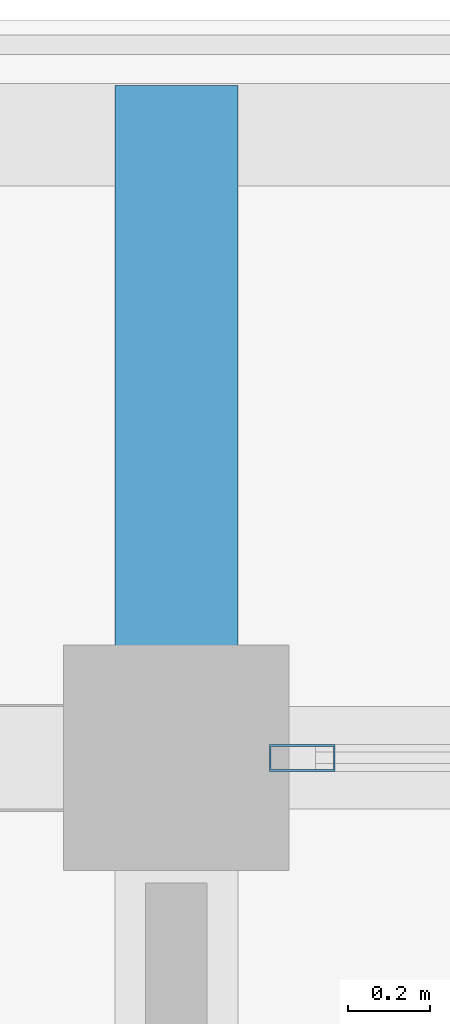
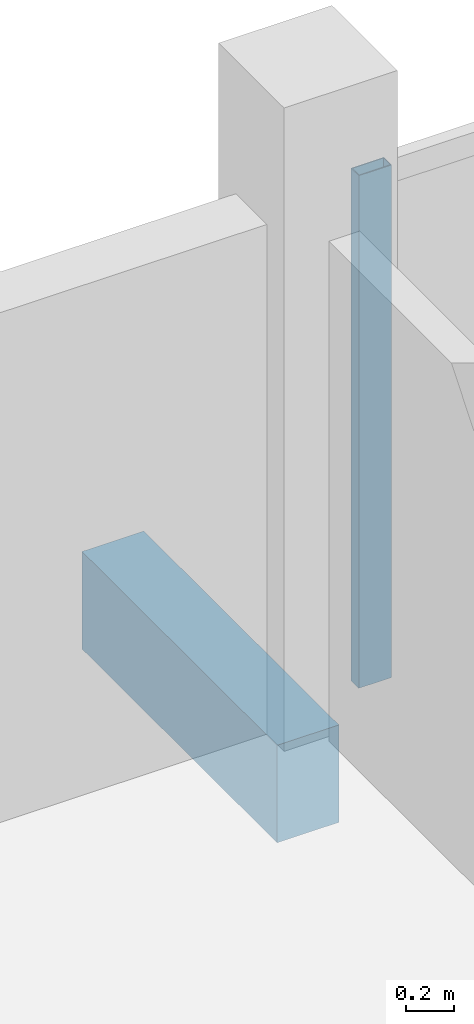
# One storey, part 25 of 60: 1 beam, 1 member, 1 element without a shape of its own.
"""IFC4 building model written with IfcOpenShell, lengths in metres."""

from ifc_helpers import new_model, si_unit, direction, frame, origin, origin_2d, place, context, subcontext, project, spatial, rectangle, hollow_rectangle, extrude, material, material_profile, profile_set, type_object, element, aggregate, save


model = new_model("IFC4")

# Units and contexts
model_context = context("Model", 3, precision=1e-05, world=origin(), true_north=direction((0.0, 1.0)))
body_context = subcontext(model_context, "Body", "Model", "MODEL_VIEW")
ifc_project = project(units=[si_unit("LENGTHUNIT", "METRE"), si_unit("AREAUNIT", "SQUARE_METRE"), si_unit("VOLUMEUNIT", "CUBIC_METRE"), si_unit("PLANEANGLEUNIT", "RADIAN"), si_unit("MASSUNIT", "GRAM", prefix="KILO")], contexts=[model_context])

# Site, building, storey
site_placement = place(None, origin())
site = spatial("IfcSite", under=ifc_project, at=site_placement, CompositionType="ELEMENT")
building_placement = place(site_placement, origin())
building = spatial("IfcBuilding", under=site, at=building_placement, Name="Suanplinth Sawtooth Commons", CompositionType="ELEMENT")
storey_placement = place(building_placement, frame((0.0, 0.0, 31.5)))
storey = spatial("IfcBuildingStorey", under=building, at=storey_placement, Name="L09", CompositionType="ELEMENT", Elevation=31.5)

# Beam
ifc_material_1 = material(Name="Precast concrete C40/50", Category="concrete")
ifc_material_profile_1 = material_profile(ifc_material_1, rectangle(XDim=0.300048828125, YDim=0.5, at=origin_2d()), Name="PC-BM 300x500")
ifc_profile_set_1 = profile_set([ifc_material_profile_1], Name="Precast concrete C40/50")
beam_type = type_object("IfcBeamType", Name="B-07", PredefinedType="BEAM", material=ifc_profile_set_1)
beam_placement = place(storey_placement, frame((165.60009765625, 122.39990234375, -0.429931640625), z_axis=(0.0, 1.0, 0.0), x_axis=(-1.0, 0.0, 0.0)))
element("IfcBeam", 1, at=beam_placement, inside=storey, type_object=beam_type, Name="Balcony Outrigger L09-B-N-23", PredefinedType="BEAM", context=body_context, shape_type="SweptSolid", body=[
    extrude(rectangle(XDim=0.300048828125, YDim=0.5, at=origin_2d()), origin(), (0.0, 0.0, 1.0), 1.64013671875),
])

# Curtain wall, member
ifc_material_2 = material(Name="Anodized aluminium and low-E glazing", Category="aluminium")
curtain_wall_type = type_object("IfcCurtainWallType", Name="CW-06", PredefinedType="USERDEFINED", material=ifc_material_2)
curtain_wall_placement = place(storey_placement, origin())
curtain_wall = element("IfcCurtainWall", 2, at=curtain_wall_placement, inside=storey, type_object=curtain_wall_type, Name="Curtain Wall CW-L09-B-LOUNGE-23", ObjectType="CURTAIN WALL", PredefinedType="USERDEFINED")
ifc_material_3 = material(Name="Anodized aluminium 6063-T6", Category="aluminium")
ifc_material_profile_2 = material_profile(ifc_material_3, hollow_rectangle(XDim=0.06494140625, YDim=0.159912109375, WallThickness=0.00390625, at=origin_2d()), Name="ALU-MUL 65x160")
ifc_profile_set_2 = profile_set([ifc_material_profile_2], Name="Anodized aluminium 6063-T6")
member_type = type_object("IfcMemberType", Name="M-13", PredefinedType="MULLION", material=ifc_profile_set_2)
member_placement = place(storey_placement, frame((165.907470703125, 122.39990234375, 0.0), z_axis=(0.0, 0.0, 1.0), x_axis=(0.0, 1.0, 0.0)))
member = element("IfcMember", 3, at=member_placement, type_object=member_type, Name="CW-06 mullion 1", PredefinedType="MULLION", context=body_context, shape_type="SweptSolid", body=[
    extrude(hollow_rectangle(XDim=0.06494140625, YDim=0.159912109375, WallThickness=0.00390625, at=origin_2d()), origin(), (0.0, 0.0, 1.0), 2.6298828125),
])
aggregate(curtain_wall, [member])

save(model, "model.ifc")
